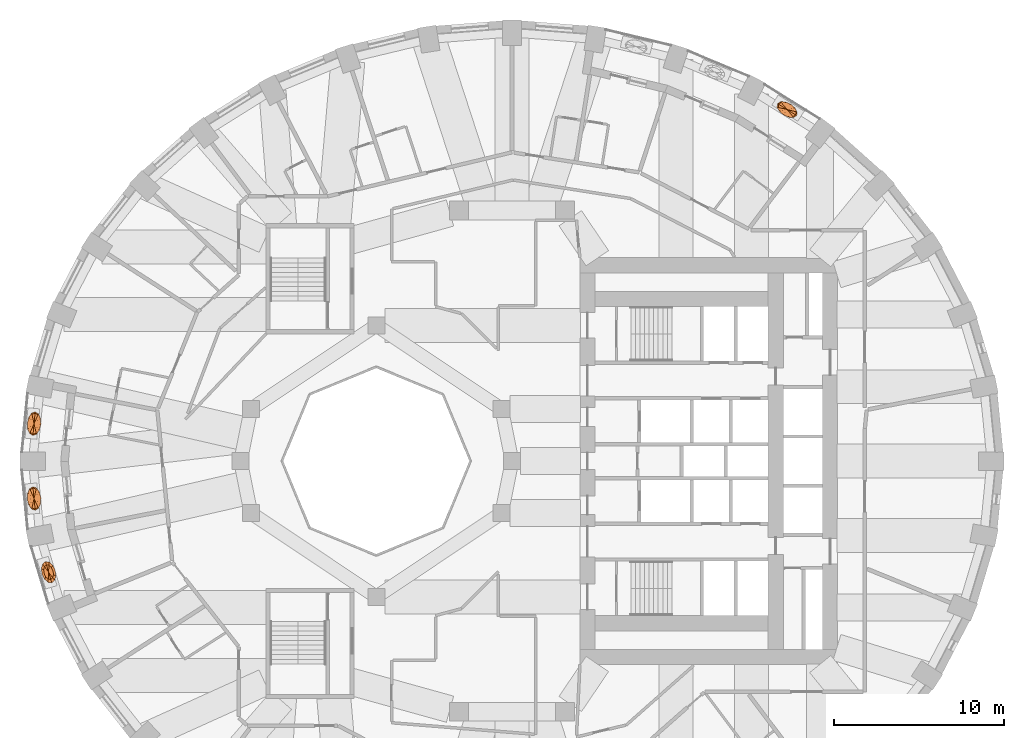
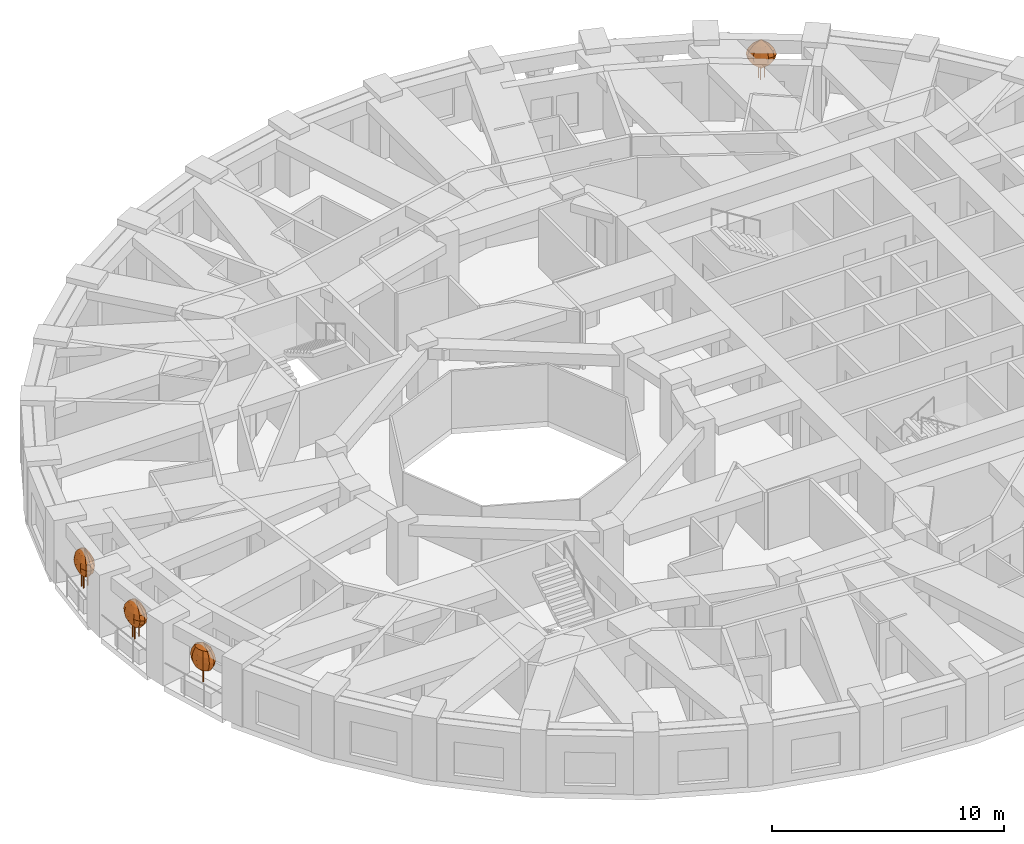
# One storey, part 12 of 13: 4 geographic elements.
"""IFC4 building model written with IfcOpenShell, lengths in metres."""

from ifc_helpers import new_model, si_unit, direction, frame, origin, place, context, subcontext, project, spatial, faceted_brep, material, constituent, constituent_set, type_object, element, save


model = new_model("IFC4")

# Units and contexts
model_context = context("Model", 3, precision=1e-05, world=origin(), true_north=direction((0.0, 1.0)))
body_context = subcontext(model_context, "Body", "Model", "MODEL_VIEW")
ifc_project = project(units=[si_unit("LENGTHUNIT", "METRE"), si_unit("AREAUNIT", "SQUARE_METRE"), si_unit("VOLUMEUNIT", "CUBIC_METRE"), si_unit("PLANEANGLEUNIT", "RADIAN"), si_unit("MASSUNIT", "GRAM", prefix="KILO")], contexts=[model_context])

# Site, building, storey
site_placement = place(None, origin())
site = spatial("IfcSite", under=ifc_project, at=site_placement, CompositionType="ELEMENT")
building_placement = place(site_placement, origin())
building = spatial("IfcBuilding", under=site, at=building_placement, Name="Taillehof Tower", CompositionType="ELEMENT")
storey_placement = place(building_placement, frame((0.0, 0.0, 64.60009765625)))
storey = spatial("IfcBuildingStorey", under=building, at=storey_placement, Name="L17", CompositionType="ELEMENT", Elevation=64.60009765625)

# Geographic elements
ifc_material_1 = material(Name="Tree bark", Category="timber")
ifc_constituent_1 = constituent(ifc_material_1, Name="Trunk", Category="timber")
ifc_material_2 = material(Name="Tree foliage")
ifc_constituent_2 = constituent(ifc_material_2, Name="Crown")
ifc_constituent_set_1 = constituent_set(constituents=[ifc_constituent_1, ifc_constituent_2], Name="Tree TR1 Columnar hornbeam")
geographic_element_type_1 = type_object("IfcGeographicElementType", Name="Tree TR1 Columnar hornbeam", PredefinedType="USERDEFINED", material=ifc_constituent_set_1)
geographic_element_1_placement = place(storey_placement, frame((-27.314697265625, -6.548583984375, 0.75)))
element("IfcGeographicElement", 1, at=geographic_element_1_placement, inside=storey, type_object=geographic_element_type_1, Name="Tree TR1 Columnar hornbeam", ObjectType="TREE", PredefinedType="USERDEFINED", context=body_context, shape_type="Brep", body=[
    faceted_brep([(0.030029296875, 0.0, 0.0), (0.021240234375, 0.021240234375, 0.0), (0.021240234375, 0.021240234375, 1.092529296875), (0.030029296875, 0.0, 1.092529296875), (0.0, 0.030029296875, 0.0), (0.0, 0.030029296875, 1.092529296875), (-0.021240234375, 0.021240234375, 0.0), (-0.021240234375, 0.021240234375, 1.092529296875), (-0.030029296875, 0.0, 0.0), (-0.030029296875, 0.0, 1.092529296875), (-0.021240234375, -0.021240234375, 0.0), (-0.021240234375, -0.021240234375, 1.092529296875), (0.0, -0.030029296875, 0.0), (0.0, -0.030029296875, 1.092529296875), (0.021240234375, -0.021240234375, 0.0), (0.021240234375, -0.021240234375, 1.092529296875)], [[[0, 1, 2, 3]], [[1, 4, 5, 2]], [[4, 6, 7, 5]], [[6, 8, 9, 7]], [[8, 10, 11, 9]], [[10, 12, 13, 11]], [[12, 14, 15, 13]], [[14, 0, 3, 15]], [[14, 12, 10, 8, 6, 4, 1, 0]], [[3, 2, 5, 7, 9, 11, 13, 15]]]),
    faceted_brep([(0.0, 0.0, 0.550048828125), (0.2412109375, -0.3291015625, 0.808349609375), (0.12744140625, -0.42529296875, 0.808349609375), (0.290283203125, -0.144775390625, 0.808349609375), (0.26171875, 0.078369140625, 0.808349609375), (0.162841796875, 0.280517578125, 0.808349609375), (0.0205078125, 0.407470703125, 0.808349609375), (-0.12744140625, 0.42529296875, 0.808349609375), (-0.2412109375, 0.3291015625, 0.808349609375), (-0.290283203125, 0.144775390625, 0.808349609375), (-0.26171875, -0.078369140625, 0.808349609375), (-0.162841796875, -0.280517578125, 0.808349609375), (-0.0205078125, -0.407470703125, 0.808349609375), (0.326416015625, -0.445068359375, 1.066650390625), (0.17236328125, -0.5751953125, 1.066650390625), (0.392822265625, -0.19580078125, 1.066650390625), (0.35400390625, 0.106201171875, 1.066650390625), (0.220458984375, 0.379638671875, 1.066650390625), (0.027587890625, 0.55126953125, 1.066650390625), (-0.17236328125, 0.5751953125, 1.066650390625), (-0.326416015625, 0.445068359375, 1.066650390625), (-0.392822265625, 0.19580078125, 1.066650390625), (-0.35400390625, -0.106201171875, 1.066650390625), (-0.220458984375, -0.379638671875, 1.066650390625), (-0.027587890625, -0.55126953125, 1.066650390625), (0.353271484375, -0.481689453125, 1.324951171875), (0.1865234375, -0.62255859375, 1.324951171875), (0.425048828125, -0.2119140625, 1.324951171875), (0.383056640625, 0.11474609375, 1.324951171875), (0.238525390625, 0.410888671875, 1.324951171875), (0.030029296875, 0.5966796875, 1.324951171875), (-0.1865234375, 0.62255859375, 1.324951171875), (-0.353271484375, 0.481689453125, 1.324951171875), (-0.425048828125, 0.2119140625, 1.324951171875), (-0.383056640625, -0.11474609375, 1.324951171875), (-0.238525390625, -0.410888671875, 1.324951171875), (-0.030029296875, -0.5966796875, 1.324951171875), (0.326416015625, -0.445068359375, 1.583251953125), (0.17236328125, -0.5751953125, 1.583251953125), (0.392822265625, -0.19580078125, 1.583251953125), (0.35400390625, 0.106201171875, 1.583251953125), (0.220458984375, 0.379638671875, 1.583251953125), (0.027587890625, 0.55126953125, 1.583251953125), (-0.17236328125, 0.5751953125, 1.583251953125), (-0.326416015625, 0.445068359375, 1.583251953125), (-0.392822265625, 0.19580078125, 1.583251953125), (-0.35400390625, -0.106201171875, 1.583251953125), (-0.220458984375, -0.379638671875, 1.583251953125), (-0.027587890625, -0.55126953125, 1.583251953125), (0.2412109375, -0.3291015625, 1.841552734375), (0.12744140625, -0.42529296875, 1.841552734375), (0.290283203125, -0.144775390625, 1.841552734375), (0.26171875, 0.078369140625, 1.841552734375), (0.162841796875, 0.280517578125, 1.841552734375), (0.0205078125, 0.407470703125, 1.841552734375), (-0.12744140625, 0.42529296875, 1.841552734375), (-0.2412109375, 0.3291015625, 1.841552734375), (-0.290283203125, 0.144775390625, 1.841552734375), (-0.26171875, -0.078369140625, 1.841552734375), (-0.162841796875, -0.280517578125, 1.841552734375), (-0.0205078125, -0.407470703125, 1.841552734375), (0.0, 0.0, 2.10009765625)], [[[0, 1, 2]], [[0, 3, 1]], [[0, 4, 3]], [[0, 5, 4]], [[0, 6, 5]], [[0, 7, 6]], [[0, 8, 7]], [[0, 9, 8]], [[0, 10, 9]], [[0, 11, 10]], [[0, 12, 11]], [[0, 2, 12]], [[2, 1, 13, 14]], [[1, 3, 15, 13]], [[3, 4, 16, 15]], [[4, 5, 17, 16]], [[5, 6, 18, 17]], [[6, 7, 19, 18]], [[7, 8, 20, 19]], [[8, 9, 21, 20]], [[9, 10, 22, 21]], [[10, 11, 23, 22]], [[11, 12, 24, 23]], [[12, 2, 14, 24]], [[14, 13, 25, 26]], [[13, 15, 27, 25]], [[15, 16, 28, 27]], [[16, 17, 29, 28]], [[17, 18, 30, 29]], [[18, 19, 31, 30]], [[19, 20, 32, 31]], [[20, 21, 33, 32]], [[21, 22, 34, 33]], [[22, 23, 35, 34]], [[23, 24, 36, 35]], [[24, 14, 26, 36]], [[26, 25, 37, 38]], [[25, 27, 39, 37]], [[27, 28, 40, 39]], [[28, 29, 41, 40]], [[29, 30, 42, 41]], [[30, 31, 43, 42]], [[31, 32, 44, 43]], [[32, 33, 45, 44]], [[33, 34, 46, 45]], [[34, 35, 47, 46]], [[35, 36, 48, 47]], [[36, 26, 38, 48]], [[38, 37, 49, 50]], [[37, 39, 51, 49]], [[39, 40, 52, 51]], [[40, 41, 53, 52]], [[41, 42, 54, 53]], [[42, 43, 55, 54]], [[43, 44, 56, 55]], [[44, 45, 57, 56]], [[45, 46, 58, 57]], [[46, 47, 59, 58]], [[47, 48, 60, 59]], [[48, 38, 50, 60]], [[50, 49, 61]], [[49, 51, 61]], [[51, 52, 61]], [[52, 53, 61]], [[53, 54, 61]], [[54, 55, 61]], [[55, 56, 61]], [[56, 57, 61]], [[57, 58, 61]], [[58, 59, 61]], [[59, 60, 61]], [[60, 50, 61]]]),
])
ifc_material_3 = material(Name="Tree bark", Category="timber")
ifc_constituent_3 = constituent(ifc_material_3, Name="Trunk", Category="timber")
ifc_material_4 = material(Name="Tree foliage")
ifc_constituent_4 = constituent(ifc_material_4, Name="Crown")
ifc_constituent_set_2 = constituent_set(constituents=[ifc_constituent_3, ifc_constituent_4], Name="Tree TR3 Multi-stem serviceberry")
geographic_element_type_2 = type_object("IfcGeographicElementType", Name="Tree TR3 Multi-stem serviceberry", PredefinedType="USERDEFINED", material=ifc_constituent_set_2)
geographic_element_2_placement = place(storey_placement, frame((-28.17138671875, 2.205322265625, 0.75)))
element("IfcGeographicElement", 2, at=geographic_element_2_placement, inside=storey, type_object=geographic_element_type_2, Name="Tree TR3 Multi-stem serviceberry", ObjectType="TREE", PredefinedType="USERDEFINED", context=body_context, shape_type="Brep", body=[
    faceted_brep([(0.203857421875, 0.0, 0.0), (0.1953125, 0.0205078125, 0.0), (0.1953125, 0.0205078125, 1.04248046875), (0.203857421875, 0.0, 1.04248046875), (0.175048828125, 0.02880859375, 0.0), (0.175048828125, 0.02880859375, 1.04248046875), (0.154541015625, 0.0205078125, 0.0), (0.154541015625, 0.0205078125, 1.04248046875), (0.146240234375, 0.0, 0.0), (0.146240234375, 0.0, 1.04248046875), (0.154541015625, -0.0205078125, 0.0), (0.154541015625, -0.0205078125, 1.04248046875), (0.175048828125, -0.02880859375, 0.0), (0.175048828125, -0.02880859375, 1.04248046875), (0.1953125, -0.0205078125, 0.0), (0.1953125, -0.0205078125, 1.04248046875)], [[[0, 1, 2, 3]], [[1, 4, 5, 2]], [[4, 6, 7, 5]], [[6, 8, 9, 7]], [[8, 10, 11, 9]], [[10, 12, 13, 11]], [[12, 14, 15, 13]], [[14, 0, 3, 15]], [[14, 12, 10, 8, 6, 4, 1, 0]], [[3, 2, 5, 7, 9, 11, 13, 15]]]),
    faceted_brep([(-0.05859375, 0.086669921875, 0.0), (-0.067138671875, 0.10693359375, 0.0), (-0.067138671875, 0.10693359375, 1.04248046875), (-0.05859375, 0.086669921875, 1.04248046875), (-0.08740234375, 0.115478515625, 0.0), (-0.08740234375, 0.115478515625, 1.04248046875), (-0.10791015625, 0.10693359375, 0.0), (-0.10791015625, 0.10693359375, 1.04248046875), (-0.116455078125, 0.086669921875, 0.0), (-0.116455078125, 0.086669921875, 1.04248046875), (-0.10791015625, 0.066162109375, 0.0), (-0.10791015625, 0.066162109375, 1.04248046875), (-0.08740234375, 0.0576171875, 0.0), (-0.08740234375, 0.0576171875, 1.04248046875), (-0.067138671875, 0.066162109375, 0.0), (-0.067138671875, 0.066162109375, 1.04248046875)], [[[0, 1, 2, 3]], [[1, 4, 5, 2]], [[4, 6, 7, 5]], [[6, 8, 9, 7]], [[8, 10, 11, 9]], [[10, 12, 13, 11]], [[12, 14, 15, 13]], [[14, 0, 3, 15]], [[14, 12, 10, 8, 6, 4, 1, 0]], [[3, 2, 5, 7, 9, 11, 13, 15]]]),
    faceted_brep([(-0.05859375, -0.086669921875, 0.0), (-0.067138671875, -0.066162109375, 0.0), (-0.067138671875, -0.066162109375, 1.04248046875), (-0.05859375, -0.086669921875, 1.04248046875), (-0.08740234375, -0.0576171875, 0.0), (-0.08740234375, -0.0576171875, 1.04248046875), (-0.10791015625, -0.066162109375, 0.0), (-0.10791015625, -0.066162109375, 1.04248046875), (-0.116455078125, -0.086669921875, 0.0), (-0.116455078125, -0.086669921875, 1.04248046875), (-0.10791015625, -0.10693359375, 0.0), (-0.10791015625, -0.10693359375, 1.04248046875), (-0.08740234375, -0.115478515625, 0.0), (-0.08740234375, -0.115478515625, 1.04248046875), (-0.067138671875, -0.10693359375, 0.0), (-0.067138671875, -0.10693359375, 1.04248046875)], [[[0, 1, 2, 3]], [[1, 4, 5, 2]], [[4, 6, 7, 5]], [[6, 8, 9, 7]], [[8, 10, 11, 9]], [[10, 12, 13, 11]], [[12, 14, 15, 13]], [[14, 0, 3, 15]], [[14, 12, 10, 8, 6, 4, 1, 0]], [[3, 2, 5, 7, 9, 11, 13, 15]]]),
    faceted_brep([(0.0, 0.0, 0.5), (0.080322265625, -0.357666015625, 0.75830078125), (-0.0390625, -0.400146484375, 0.75830078125), (0.178466796875, -0.219482421875, 0.75830078125), (0.228759765625, -0.0224609375, 0.75830078125), (0.217529296875, 0.1806640625, 0.75830078125), (0.148193359375, 0.33544921875, 0.75830078125), (0.0390625, 0.400146484375, 0.75830078125), (-0.080322265625, 0.357666015625, 0.75830078125), (-0.178466796875, 0.219482421875, 0.75830078125), (-0.228759765625, 0.0224609375, 0.75830078125), (-0.217529296875, -0.1806640625, 0.75830078125), (-0.148193359375, -0.33544921875, 0.75830078125), (0.124755859375, -0.55517578125, 1.0166015625), (-0.060791015625, -0.620849609375, 1.0166015625), (0.27685546875, -0.340576171875, 1.0166015625), (0.354736328125, -0.03466796875, 1.0166015625), (0.337646484375, 0.280517578125, 1.0166015625), (0.22998046875, 0.5205078125, 1.0166015625), (0.060791015625, 0.620849609375, 1.0166015625), (-0.124755859375, 0.55517578125, 1.0166015625), (-0.27685546875, 0.340576171875, 1.0166015625), (-0.354736328125, 0.03466796875, 1.0166015625), (-0.337646484375, -0.280517578125, 1.0166015625), (-0.22998046875, -0.5205078125, 1.0166015625), (0.139892578125, -0.622802734375, 1.27490234375), (-0.068115234375, -0.69677734375, 1.27490234375), (0.310791015625, -0.382080078125, 1.27490234375), (0.398193359375, -0.0390625, 1.27490234375), (0.37890625, 0.314697265625, 1.27490234375), (0.258056640625, 0.583740234375, 1.27490234375), (0.068115234375, 0.69677734375, 1.27490234375), (-0.139892578125, 0.622802734375, 1.27490234375), (-0.310791015625, 0.382080078125, 1.27490234375), (-0.398193359375, 0.0390625, 1.27490234375), (-0.37890625, -0.314697265625, 1.27490234375), (-0.258056640625, -0.583740234375, 1.27490234375), (0.124755859375, -0.55517578125, 1.533447265625), (-0.060791015625, -0.620849609375, 1.533447265625), (0.27685546875, -0.340576171875, 1.533447265625), (0.354736328125, -0.03466796875, 1.533447265625), (0.337646484375, 0.280517578125, 1.533447265625), (0.22998046875, 0.5205078125, 1.533447265625), (0.060791015625, 0.620849609375, 1.533447265625), (-0.124755859375, 0.55517578125, 1.533447265625), (-0.27685546875, 0.340576171875, 1.533447265625), (-0.354736328125, 0.03466796875, 1.533447265625), (-0.337646484375, -0.280517578125, 1.533447265625), (-0.22998046875, -0.5205078125, 1.533447265625), (0.080322265625, -0.357666015625, 1.791748046875), (-0.0390625, -0.400146484375, 1.791748046875), (0.178466796875, -0.219482421875, 1.791748046875), (0.228759765625, -0.0224609375, 1.791748046875), (0.217529296875, 0.1806640625, 1.791748046875), (0.148193359375, 0.33544921875, 1.791748046875), (0.0390625, 0.400146484375, 1.791748046875), (-0.080322265625, 0.357666015625, 1.791748046875), (-0.178466796875, 0.219482421875, 1.791748046875), (-0.228759765625, 0.0224609375, 1.791748046875), (-0.217529296875, -0.1806640625, 1.791748046875), (-0.148193359375, -0.33544921875, 1.791748046875), (0.0, 0.0, 2.050048828125)], [[[0, 1, 2]], [[0, 3, 1]], [[0, 4, 3]], [[0, 5, 4]], [[0, 6, 5]], [[0, 7, 6]], [[0, 8, 7]], [[0, 9, 8]], [[0, 10, 9]], [[0, 11, 10]], [[0, 12, 11]], [[0, 2, 12]], [[2, 1, 13, 14]], [[1, 3, 15, 13]], [[3, 4, 16, 15]], [[4, 5, 17, 16]], [[5, 6, 18, 17]], [[6, 7, 19, 18]], [[7, 8, 20, 19]], [[8, 9, 21, 20]], [[9, 10, 22, 21]], [[10, 11, 23, 22]], [[11, 12, 24, 23]], [[12, 2, 14, 24]], [[14, 13, 25, 26]], [[13, 15, 27, 25]], [[15, 16, 28, 27]], [[16, 17, 29, 28]], [[17, 18, 30, 29]], [[18, 19, 31, 30]], [[19, 20, 32, 31]], [[20, 21, 33, 32]], [[21, 22, 34, 33]], [[22, 23, 35, 34]], [[23, 24, 36, 35]], [[24, 14, 26, 36]], [[26, 25, 37, 38]], [[25, 27, 39, 37]], [[27, 28, 40, 39]], [[28, 29, 41, 40]], [[29, 30, 42, 41]], [[30, 31, 43, 42]], [[31, 32, 44, 43]], [[32, 33, 45, 44]], [[33, 34, 46, 45]], [[34, 35, 47, 46]], [[35, 36, 48, 47]], [[36, 26, 38, 48]], [[38, 37, 49, 50]], [[37, 39, 51, 49]], [[39, 40, 52, 51]], [[40, 41, 53, 52]], [[41, 42, 54, 53]], [[42, 43, 55, 54]], [[43, 44, 56, 55]], [[44, 45, 57, 56]], [[45, 46, 58, 57]], [[46, 47, 59, 58]], [[47, 48, 60, 59]], [[48, 38, 50, 60]], [[50, 49, 61]], [[49, 51, 61]], [[51, 52, 61]], [[52, 53, 61]], [[53, 54, 61]], [[54, 55, 61]], [[55, 56, 61]], [[56, 57, 61]], [[57, 58, 61]], [[58, 59, 61]], [[59, 60, 61]], [[60, 50, 61]]]),
])
geographic_element_3_placement = place(storey_placement, frame((-28.17138671875, -2.205322265625, 0.75)))
element("IfcGeographicElement", 3, at=geographic_element_3_placement, inside=storey, type_object=geographic_element_type_2, Name="Tree TR3 Multi-stem serviceberry", ObjectType="TREE", PredefinedType="USERDEFINED", context=body_context, shape_type="Brep", body=[
    faceted_brep([(0.203857421875, 0.0, 0.0), (0.1953125, 0.0205078125, 0.0), (0.1953125, 0.0205078125, 1.04248046875), (0.203857421875, 0.0, 1.04248046875), (0.175048828125, 0.02880859375, 0.0), (0.175048828125, 0.02880859375, 1.04248046875), (0.154541015625, 0.0205078125, 0.0), (0.154541015625, 0.0205078125, 1.04248046875), (0.146240234375, 0.0, 0.0), (0.146240234375, 0.0, 1.04248046875), (0.154541015625, -0.0205078125, 0.0), (0.154541015625, -0.0205078125, 1.04248046875), (0.175048828125, -0.02880859375, 0.0), (0.175048828125, -0.02880859375, 1.04248046875), (0.1953125, -0.0205078125, 0.0), (0.1953125, -0.0205078125, 1.04248046875)], [[[0, 1, 2, 3]], [[1, 4, 5, 2]], [[4, 6, 7, 5]], [[6, 8, 9, 7]], [[8, 10, 11, 9]], [[10, 12, 13, 11]], [[12, 14, 15, 13]], [[14, 0, 3, 15]], [[14, 12, 10, 8, 6, 4, 1, 0]], [[3, 2, 5, 7, 9, 11, 13, 15]]]),
    faceted_brep([(-0.05859375, 0.086669921875, 0.0), (-0.067138671875, 0.10693359375, 0.0), (-0.067138671875, 0.10693359375, 1.04248046875), (-0.05859375, 0.086669921875, 1.04248046875), (-0.08740234375, 0.115478515625, 0.0), (-0.08740234375, 0.115478515625, 1.04248046875), (-0.10791015625, 0.10693359375, 0.0), (-0.10791015625, 0.10693359375, 1.04248046875), (-0.116455078125, 0.086669921875, 0.0), (-0.116455078125, 0.086669921875, 1.04248046875), (-0.10791015625, 0.066162109375, 0.0), (-0.10791015625, 0.066162109375, 1.04248046875), (-0.08740234375, 0.0576171875, 0.0), (-0.08740234375, 0.0576171875, 1.04248046875), (-0.067138671875, 0.066162109375, 0.0), (-0.067138671875, 0.066162109375, 1.04248046875)], [[[0, 1, 2, 3]], [[1, 4, 5, 2]], [[4, 6, 7, 5]], [[6, 8, 9, 7]], [[8, 10, 11, 9]], [[10, 12, 13, 11]], [[12, 14, 15, 13]], [[14, 0, 3, 15]], [[14, 12, 10, 8, 6, 4, 1, 0]], [[3, 2, 5, 7, 9, 11, 13, 15]]]),
    faceted_brep([(-0.05859375, -0.086669921875, 0.0), (-0.067138671875, -0.066162109375, 0.0), (-0.067138671875, -0.066162109375, 1.04248046875), (-0.05859375, -0.086669921875, 1.04248046875), (-0.08740234375, -0.0576171875, 0.0), (-0.08740234375, -0.0576171875, 1.04248046875), (-0.10791015625, -0.066162109375, 0.0), (-0.10791015625, -0.066162109375, 1.04248046875), (-0.116455078125, -0.086669921875, 0.0), (-0.116455078125, -0.086669921875, 1.04248046875), (-0.10791015625, -0.10693359375, 0.0), (-0.10791015625, -0.10693359375, 1.04248046875), (-0.08740234375, -0.115478515625, 0.0), (-0.08740234375, -0.115478515625, 1.04248046875), (-0.067138671875, -0.10693359375, 0.0), (-0.067138671875, -0.10693359375, 1.04248046875)], [[[0, 1, 2, 3]], [[1, 4, 5, 2]], [[4, 6, 7, 5]], [[6, 8, 9, 7]], [[8, 10, 11, 9]], [[10, 12, 13, 11]], [[12, 14, 15, 13]], [[14, 0, 3, 15]], [[14, 12, 10, 8, 6, 4, 1, 0]], [[3, 2, 5, 7, 9, 11, 13, 15]]]),
    faceted_brep([(0.0, 0.0, 0.5), (0.148193359375, -0.33544921875, 0.75830078125), (0.0390625, -0.400146484375, 0.75830078125), (0.217529296875, -0.1806640625, 0.75830078125), (0.228759765625, 0.0224609375, 0.75830078125), (0.178466796875, 0.219482421875, 0.75830078125), (0.080322265625, 0.357666015625, 0.75830078125), (-0.0390625, 0.400146484375, 0.75830078125), (-0.148193359375, 0.33544921875, 0.75830078125), (-0.217529296875, 0.1806640625, 0.75830078125), (-0.228759765625, -0.0224609375, 0.75830078125), (-0.178466796875, -0.219482421875, 0.75830078125), (-0.080322265625, -0.357666015625, 0.75830078125), (0.22998046875, -0.5205078125, 1.0166015625), (0.060791015625, -0.620849609375, 1.0166015625), (0.337646484375, -0.280517578125, 1.0166015625), (0.354736328125, 0.03466796875, 1.0166015625), (0.27685546875, 0.340576171875, 1.0166015625), (0.124755859375, 0.55517578125, 1.0166015625), (-0.060791015625, 0.620849609375, 1.0166015625), (-0.22998046875, 0.5205078125, 1.0166015625), (-0.337646484375, 0.280517578125, 1.0166015625), (-0.354736328125, -0.03466796875, 1.0166015625), (-0.27685546875, -0.340576171875, 1.0166015625), (-0.124755859375, -0.55517578125, 1.0166015625), (0.258056640625, -0.583740234375, 1.27490234375), (0.068115234375, -0.69677734375, 1.27490234375), (0.37890625, -0.314697265625, 1.27490234375), (0.398193359375, 0.0390625, 1.27490234375), (0.310791015625, 0.382080078125, 1.27490234375), (0.139892578125, 0.622802734375, 1.27490234375), (-0.068115234375, 0.69677734375, 1.27490234375), (-0.258056640625, 0.583740234375, 1.27490234375), (-0.37890625, 0.314697265625, 1.27490234375), (-0.398193359375, -0.0390625, 1.27490234375), (-0.310791015625, -0.382080078125, 1.27490234375), (-0.139892578125, -0.622802734375, 1.27490234375), (0.22998046875, -0.5205078125, 1.533447265625), (0.060791015625, -0.620849609375, 1.533447265625), (0.337646484375, -0.280517578125, 1.533447265625), (0.354736328125, 0.03466796875, 1.533447265625), (0.27685546875, 0.340576171875, 1.533447265625), (0.124755859375, 0.55517578125, 1.533447265625), (-0.060791015625, 0.620849609375, 1.533447265625), (-0.22998046875, 0.5205078125, 1.533447265625), (-0.337646484375, 0.280517578125, 1.533447265625), (-0.354736328125, -0.03466796875, 1.533447265625), (-0.27685546875, -0.340576171875, 1.533447265625), (-0.124755859375, -0.55517578125, 1.533447265625), (0.148193359375, -0.33544921875, 1.791748046875), (0.0390625, -0.400146484375, 1.791748046875), (0.217529296875, -0.1806640625, 1.791748046875), (0.228759765625, 0.0224609375, 1.791748046875), (0.178466796875, 0.219482421875, 1.791748046875), (0.080322265625, 0.357666015625, 1.791748046875), (-0.0390625, 0.400146484375, 1.791748046875), (-0.148193359375, 0.33544921875, 1.791748046875), (-0.217529296875, 0.1806640625, 1.791748046875), (-0.228759765625, -0.0224609375, 1.791748046875), (-0.178466796875, -0.219482421875, 1.791748046875), (-0.080322265625, -0.357666015625, 1.791748046875), (0.0, 0.0, 2.050048828125)], [[[0, 1, 2]], [[0, 3, 1]], [[0, 4, 3]], [[0, 5, 4]], [[0, 6, 5]], [[0, 7, 6]], [[0, 8, 7]], [[0, 9, 8]], [[0, 10, 9]], [[0, 11, 10]], [[0, 12, 11]], [[0, 2, 12]], [[2, 1, 13, 14]], [[1, 3, 15, 13]], [[3, 4, 16, 15]], [[4, 5, 17, 16]], [[5, 6, 18, 17]], [[6, 7, 19, 18]], [[7, 8, 20, 19]], [[8, 9, 21, 20]], [[9, 10, 22, 21]], [[10, 11, 23, 22]], [[11, 12, 24, 23]], [[12, 2, 14, 24]], [[14, 13, 25, 26]], [[13, 15, 27, 25]], [[15, 16, 28, 27]], [[16, 17, 29, 28]], [[17, 18, 30, 29]], [[18, 19, 31, 30]], [[19, 20, 32, 31]], [[20, 21, 33, 32]], [[21, 22, 34, 33]], [[22, 23, 35, 34]], [[23, 24, 36, 35]], [[24, 14, 26, 36]], [[26, 25, 37, 38]], [[25, 27, 39, 37]], [[27, 28, 40, 39]], [[28, 29, 41, 40]], [[29, 30, 42, 41]], [[30, 31, 43, 42]], [[31, 32, 44, 43]], [[32, 33, 45, 44]], [[33, 34, 46, 45]], [[34, 35, 47, 46]], [[35, 36, 48, 47]], [[36, 26, 38, 48]], [[38, 37, 49, 50]], [[37, 39, 51, 49]], [[39, 40, 52, 51]], [[40, 41, 53, 52]], [[41, 42, 54, 53]], [[42, 43, 55, 54]], [[43, 44, 56, 55]], [[44, 45, 57, 56]], [[45, 46, 58, 57]], [[46, 47, 59, 58]], [[47, 48, 60, 59]], [[48, 38, 50, 60]], [[50, 49, 61]], [[49, 51, 61]], [[51, 52, 61]], [[52, 53, 61]], [[53, 54, 61]], [[54, 55, 61]], [[55, 56, 61]], [[56, 57, 61]], [[57, 58, 61]], [[58, 59, 61]], [[59, 60, 61]], [[60, 50, 61]]]),
])
geographic_element_4_placement = place(storey_placement, frame((16.2158203125, 20.720703125, 0.75)))
element("IfcGeographicElement", 4, at=geographic_element_4_placement, inside=storey, type_object=geographic_element_type_2, Name="Tree TR3 Multi-stem serviceberry", ObjectType="TREE", PredefinedType="USERDEFINED", context=body_context, shape_type="Brep", body=[
    faceted_brep([(0.195068359375, 0.0, 0.0), (0.186767578125, 0.0205078125, 0.0), (0.186767578125, 0.0205078125, 1.04248046875), (0.195068359375, 0.0, 1.04248046875), (0.166259765625, 0.02880859375, 0.0), (0.166259765625, 0.02880859375, 1.04248046875), (0.145751953125, 0.0205078125, 0.0), (0.145751953125, 0.0205078125, 1.04248046875), (0.137451171875, 0.0, 0.0), (0.137451171875, 0.0, 1.04248046875), (0.145751953125, -0.0205078125, 0.0), (0.145751953125, -0.0205078125, 1.04248046875), (0.166259765625, -0.02880859375, 0.0), (0.166259765625, -0.02880859375, 1.04248046875), (0.186767578125, -0.0205078125, 0.0), (0.186767578125, -0.0205078125, 1.04248046875)], [[[0, 1, 2, 3]], [[1, 4, 5, 2]], [[4, 6, 7, 5]], [[6, 8, 9, 7]], [[8, 10, 11, 9]], [[10, 12, 13, 11]], [[12, 14, 15, 13]], [[14, 0, 3, 15]], [[14, 12, 10, 8, 6, 4, 1, 0]], [[3, 2, 5, 7, 9, 11, 13, 15]]]),
    faceted_brep([(-0.05419921875, 0.082275390625, 0.0), (-0.062744140625, 0.102783203125, 0.0), (-0.062744140625, 0.102783203125, 1.04248046875), (-0.05419921875, 0.082275390625, 1.04248046875), (-0.0830078125, 0.111083984375, 0.0), (-0.0830078125, 0.111083984375, 1.04248046875), (-0.103515625, 0.102783203125, 0.0), (-0.103515625, 0.102783203125, 1.04248046875), (-0.112060546875, 0.082275390625, 0.0), (-0.112060546875, 0.082275390625, 1.04248046875), (-0.103515625, 0.061767578125, 0.0), (-0.103515625, 0.061767578125, 1.04248046875), (-0.0830078125, 0.053466796875, 0.0), (-0.0830078125, 0.053466796875, 1.04248046875), (-0.062744140625, 0.061767578125, 0.0), (-0.062744140625, 0.061767578125, 1.04248046875)], [[[0, 1, 2, 3]], [[1, 4, 5, 2]], [[4, 6, 7, 5]], [[6, 8, 9, 7]], [[8, 10, 11, 9]], [[10, 12, 13, 11]], [[12, 14, 15, 13]], [[14, 0, 3, 15]], [[14, 12, 10, 8, 6, 4, 1, 0]], [[3, 2, 5, 7, 9, 11, 13, 15]]]),
    faceted_brep([(-0.05419921875, -0.082275390625, 0.0), (-0.062744140625, -0.061767578125, 0.0), (-0.062744140625, -0.061767578125, 1.04248046875), (-0.05419921875, -0.082275390625, 1.04248046875), (-0.0830078125, -0.053466796875, 0.0), (-0.0830078125, -0.053466796875, 1.04248046875), (-0.103515625, -0.061767578125, 0.0), (-0.103515625, -0.061767578125, 1.04248046875), (-0.112060546875, -0.082275390625, 0.0), (-0.112060546875, -0.082275390625, 1.04248046875), (-0.103515625, -0.102783203125, 0.0), (-0.103515625, -0.102783203125, 1.04248046875), (-0.0830078125, -0.111083984375, 0.0), (-0.0830078125, -0.111083984375, 1.04248046875), (-0.062744140625, -0.102783203125, 0.0), (-0.062744140625, -0.102783203125, 1.04248046875)], [[[0, 1, 2, 3]], [[1, 4, 5, 2]], [[4, 6, 7, 5]], [[6, 8, 9, 7]], [[8, 10, 11, 9]], [[10, 12, 13, 11]], [[12, 14, 15, 13]], [[14, 0, 3, 15]], [[14, 12, 10, 8, 6, 4, 1, 0]], [[3, 2, 5, 7, 9, 11, 13, 15]]]),
    faceted_brep([(0.0, 0.0, 0.5), (-0.33837890625, 0.0830078125, 0.75830078125), (-0.32373046875, 0.20263671875, 0.75830078125), (-0.26220703125, -0.058837890625, 0.75830078125), (-0.11572265625, -0.18505859375, 0.75830078125), (0.0615234375, -0.261474609375, 0.75830078125), (0.222412109375, -0.26806640625, 0.75830078125), (0.32373046875, -0.20263671875, 0.75830078125), (0.33837890625, -0.0830078125, 0.75830078125), (0.26220703125, 0.058837890625, 0.75830078125), (0.11572265625, 0.18505859375, 0.75830078125), (-0.0615234375, 0.261474609375, 0.75830078125), (-0.222412109375, 0.26806640625, 0.75830078125), (-0.52490234375, 0.12890625, 1.0166015625), (-0.50244140625, 0.314453125, 1.0166015625), (-0.40673828125, -0.09130859375, 1.0166015625), (-0.1796875, -0.287109375, 1.0166015625), (0.095703125, -0.40576171875, 1.0166015625), (0.34521484375, -0.415771484375, 1.0166015625), (0.50244140625, -0.314453125, 1.0166015625), (0.52490234375, -0.12890625, 1.0166015625), (0.40673828125, 0.09130859375, 1.0166015625), (0.1796875, 0.287109375, 1.0166015625), (-0.095703125, 0.40576171875, 1.0166015625), (-0.34521484375, 0.415771484375, 1.0166015625), (-0.5888671875, 0.14453125, 1.27490234375), (-0.563720703125, 0.352783203125, 1.27490234375), (-0.45654296875, -0.1025390625, 1.27490234375), (-0.20166015625, -0.322021484375, 1.27490234375), (0.107177734375, -0.455322265625, 1.27490234375), (0.387451171875, -0.466552734375, 1.27490234375), (0.563720703125, -0.352783203125, 1.27490234375), (0.5888671875, -0.14453125, 1.27490234375), (0.45654296875, 0.1025390625, 1.27490234375), (0.20166015625, 0.322021484375, 1.27490234375), (-0.107177734375, 0.455322265625, 1.27490234375), (-0.387451171875, 0.466552734375, 1.27490234375), (-0.52490234375, 0.12890625, 1.533447265625), (-0.50244140625, 0.314453125, 1.533447265625), (-0.40673828125, -0.09130859375, 1.533447265625), (-0.1796875, -0.287109375, 1.533447265625), (0.095703125, -0.40576171875, 1.533447265625), (0.34521484375, -0.415771484375, 1.533447265625), (0.50244140625, -0.314453125, 1.533447265625), (0.52490234375, -0.12890625, 1.533447265625), (0.40673828125, 0.09130859375, 1.533447265625), (0.1796875, 0.287109375, 1.533447265625), (-0.095703125, 0.40576171875, 1.533447265625), (-0.34521484375, 0.415771484375, 1.533447265625), (-0.33837890625, 0.0830078125, 1.791748046875), (-0.32373046875, 0.20263671875, 1.791748046875), (-0.26220703125, -0.058837890625, 1.791748046875), (-0.11572265625, -0.18505859375, 1.791748046875), (0.0615234375, -0.261474609375, 1.791748046875), (0.222412109375, -0.26806640625, 1.791748046875), (0.32373046875, -0.20263671875, 1.791748046875), (0.33837890625, -0.0830078125, 1.791748046875), (0.26220703125, 0.058837890625, 1.791748046875), (0.11572265625, 0.18505859375, 1.791748046875), (-0.0615234375, 0.261474609375, 1.791748046875), (-0.222412109375, 0.26806640625, 1.791748046875), (0.0, 0.0, 2.050048828125)], [[[0, 1, 2]], [[0, 3, 1]], [[0, 4, 3]], [[0, 5, 4]], [[0, 6, 5]], [[0, 7, 6]], [[0, 8, 7]], [[0, 9, 8]], [[0, 10, 9]], [[0, 11, 10]], [[0, 12, 11]], [[0, 2, 12]], [[2, 1, 13, 14]], [[1, 3, 15, 13]], [[3, 4, 16, 15]], [[4, 5, 17, 16]], [[5, 6, 18, 17]], [[6, 7, 19, 18]], [[7, 8, 20, 19]], [[8, 9, 21, 20]], [[9, 10, 22, 21]], [[10, 11, 23, 22]], [[11, 12, 24, 23]], [[12, 2, 14, 24]], [[14, 13, 25, 26]], [[13, 15, 27, 25]], [[15, 16, 28, 27]], [[16, 17, 29, 28]], [[17, 18, 30, 29]], [[18, 19, 31, 30]], [[19, 20, 32, 31]], [[20, 21, 33, 32]], [[21, 22, 34, 33]], [[22, 23, 35, 34]], [[23, 24, 36, 35]], [[24, 14, 26, 36]], [[26, 25, 37, 38]], [[25, 27, 39, 37]], [[27, 28, 40, 39]], [[28, 29, 41, 40]], [[29, 30, 42, 41]], [[30, 31, 43, 42]], [[31, 32, 44, 43]], [[32, 33, 45, 44]], [[33, 34, 46, 45]], [[34, 35, 47, 46]], [[35, 36, 48, 47]], [[36, 26, 38, 48]], [[38, 37, 49, 50]], [[37, 39, 51, 49]], [[39, 40, 52, 51]], [[40, 41, 53, 52]], [[41, 42, 54, 53]], [[42, 43, 55, 54]], [[43, 44, 56, 55]], [[44, 45, 57, 56]], [[45, 46, 58, 57]], [[46, 47, 59, 58]], [[47, 48, 60, 59]], [[48, 38, 50, 60]], [[50, 49, 61]], [[49, 51, 61]], [[51, 52, 61]], [[52, 53, 61]], [[53, 54, 61]], [[54, 55, 61]], [[55, 56, 61]], [[56, 57, 61]], [[57, 58, 61]], [[58, 59, 61]], [[59, 60, 61]], [[60, 50, 61]]]),
])

save(model, "model.ifc")
